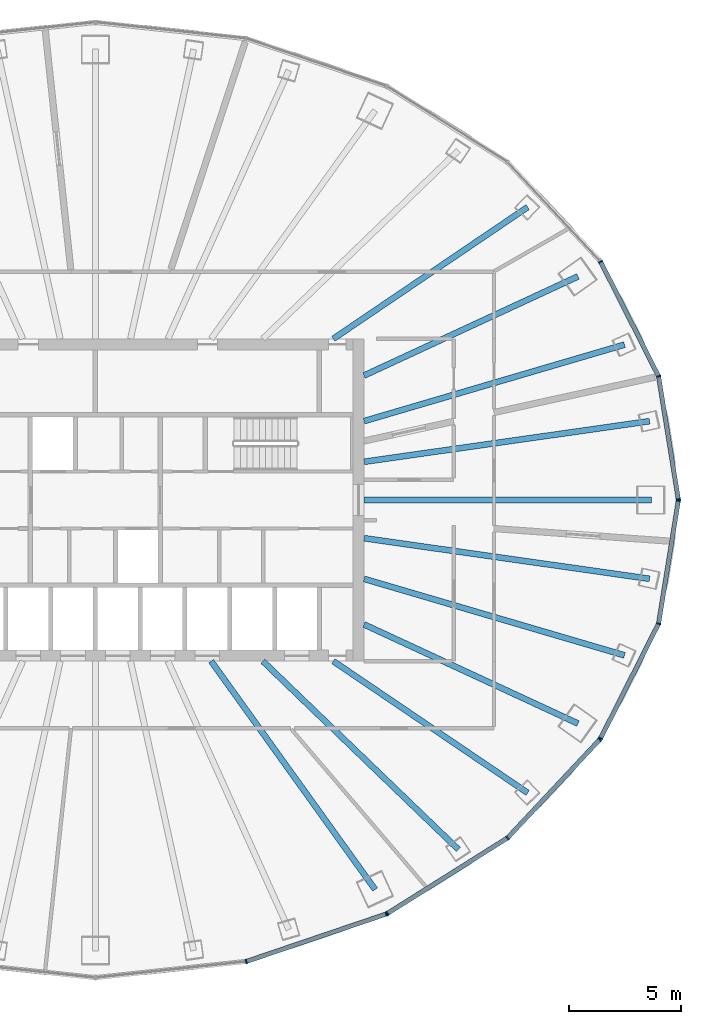
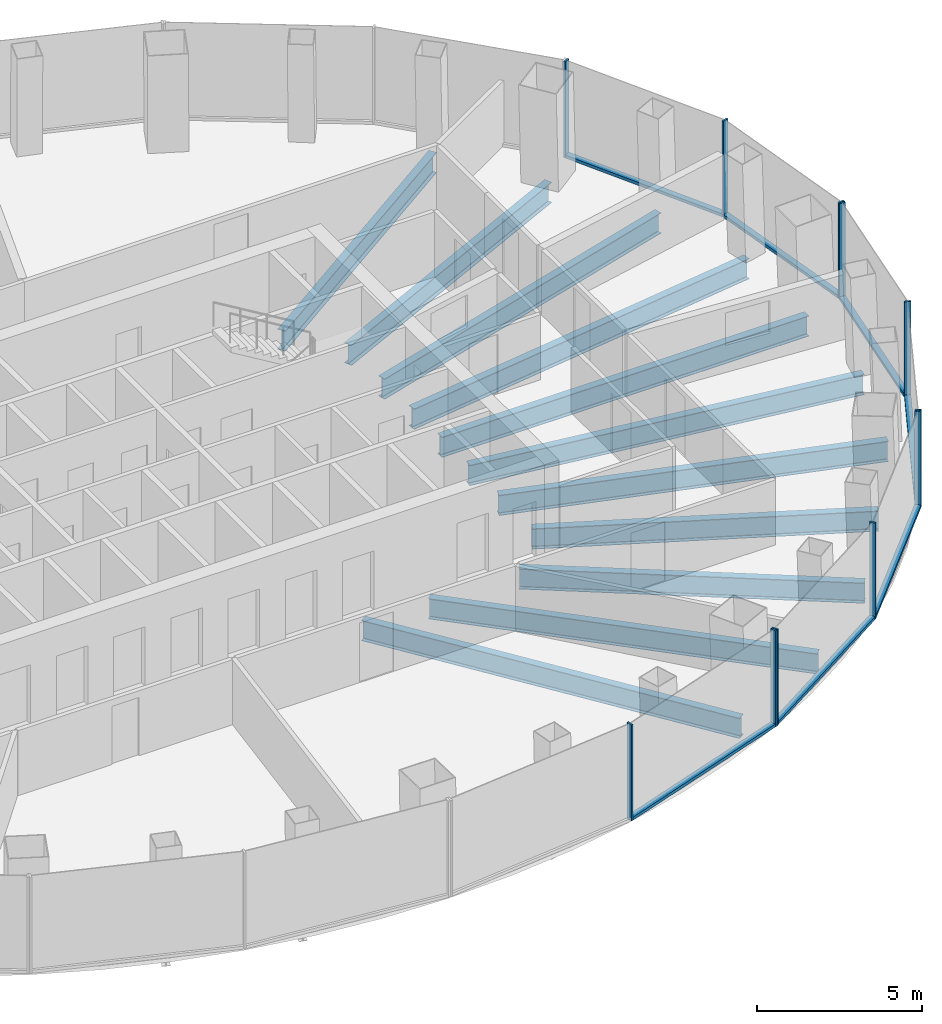
# One storey, part 4 of 12: 18 members, 11 beams, 4 elements without a shape of their own.
"""IFC4 building model written with IfcOpenShell, lengths in metres."""

from ifc_helpers import new_model, si_unit, direction, frame, origin, origin_2d, place, context, subcontext, project, spatial, rectangle, i_section, extrude, material, layer, layer_set, material_profile, profile_set, type_object, element, aggregate, save


model = new_model("IFC4")

# Units and contexts
model_context = context("Model", 3, precision=1e-05, world=origin(), true_north=direction((0.0, 1.0)))
body_context = subcontext(model_context, "Body", "Model", "MODEL_VIEW")
ifc_project = project(units=[si_unit("LENGTHUNIT", "METRE"), si_unit("AREAUNIT", "SQUARE_METRE"), si_unit("VOLUMEUNIT", "CUBIC_METRE"), si_unit("PLANEANGLEUNIT", "RADIAN"), si_unit("MASSUNIT", "GRAM", prefix="KILO")], contexts=[model_context])

# Site, building, storey
site_placement = place(None, origin())
site = spatial("IfcSite", under=ifc_project, at=site_placement, CompositionType="ELEMENT")
building_placement = place(site_placement, origin())
building = spatial("IfcBuilding", under=site, at=building_placement, Name="Siaravel Broadcast Tower", CompositionType="ELEMENT")
storey_placement = place(building_placement, frame((0.0, 0.0, 104.5)))
storey = spatial("IfcBuildingStorey", under=building, at=storey_placement, Name="L24", CompositionType="ELEMENT", Elevation=104.5)

# Beams
ifc_material_1 = material(Name="Steel S355", Category="steel")
ifc_material_profile_1 = material_profile(ifc_material_1, i_section(OverallWidth=0.26513671875, OverallDepth=0.75390625, WebThickness=0.0126953125, FlangeThickness=0.017578125, FilletRadius=0.0166015625, at=origin_2d()))
ifc_profile_set_1 = profile_set([ifc_material_profile_1], Name="Steel S355")
beam_type = type_object("IfcBeamType", Name="BM-UB 762x267x147", PredefinedType="BEAM", material=ifc_profile_set_1)
beam_1_placement = place(storey_placement, frame((24.825439453125, 0.0, -0.52685546875), z_axis=(-1.0, 0.0, 0.0), x_axis=(0.0, -1.0, 0.0)))
element("IfcBeam", 1, at=beam_1_placement, inside=storey, type_object=beam_type, Name="Radial beam RB01", PredefinedType="BEAM", context=body_context, shape_type="SweptSolid", body=[
    extrude(i_section(OverallWidth=0.26513671875, OverallDepth=0.75390625, WebThickness=0.0126953125, FlangeThickness=0.017578125, FilletRadius=0.0166015625, at=origin_2d()), origin(), (0.0, 0.0, 1.0), 12.825439453125),
])
beam_2_placement = place(storey_placement, frame((24.74951171875, 3.519287109375, -0.52685546875), z_axis=(-0.990040289, -0.140784328, 0.0), x_axis=(0.140784328, -0.990040289, 0.0)))
element("IfcBeam", 2, at=beam_2_placement, inside=storey, type_object=beam_type, Name="Radial beam RB02", PredefinedType="BEAM", context=body_context, shape_type="SweptSolid", body=[
    extrude(i_section(OverallWidth=0.26513671875, OverallDepth=0.75390625, WebThickness=0.0126953125, FlangeThickness=0.017578125, FilletRadius=0.0166015625, at=origin_2d()), origin(), (0.0, 0.0, 1.0), 12.877685546875),
])
beam_3_placement = place(storey_placement, frame((23.630859375, 6.938232421875, -0.52685546875), z_axis=(-0.959494967, -0.281725768, 0.0), x_axis=(0.281725768, -0.959494967, 0.0)))
element("IfcBeam", 3, at=beam_3_placement, inside=storey, type_object=beam_type, Name="Radial beam RB03", PredefinedType="BEAM", context=body_context, shape_type="SweptSolid", body=[
    extrude(i_section(OverallWidth=0.26513671875, OverallDepth=0.75390625, WebThickness=0.0126953125, FlangeThickness=0.017578125, FilletRadius=0.0166015625, at=origin_2d()), origin(), (0.0, 0.0, 1.0), 12.121826171875),
])
beam_4_placement = place(storey_placement, frame((21.552978515625, 9.984130859375, -0.52685546875), z_axis=(-0.90737209, -0.420328312, 0.0), x_axis=(0.420328312, -0.90737209, 0.0)))
element("IfcBeam", 4, at=beam_4_placement, inside=storey, type_object=beam_type, Name="Radial beam RB04", PredefinedType="BEAM", context=body_context, shape_type="SweptSolid", body=[
    extrude(i_section(OverallWidth=0.26513671875, OverallDepth=0.75390625, WebThickness=0.0126953125, FlangeThickness=0.017578125, FilletRadius=0.0166015625, at=origin_2d()), origin(), (0.0, 0.0, 1.0), 10.528076171875),
])
beam_5_placement = place(storey_placement, frame((19.30126953125, 13.07763671875, -0.52685546875), z_axis=(-0.827865291, -0.560926964, 0.0), x_axis=(0.560926964, -0.827865291, 0.0)))
element("IfcBeam", 5, at=beam_5_placement, inside=storey, type_object=beam_type, Name="Radial beam RB05", PredefinedType="BEAM", context=body_context, shape_type="SweptSolid", body=[
    extrude(i_section(OverallWidth=0.26513671875, OverallDepth=0.75390625, WebThickness=0.0126953125, FlangeThickness=0.017578125, FilletRadius=0.0166015625, at=origin_2d()), origin(), (0.0, 0.0, 1.0), 10.478515625),
])
beam_6_placement = place(storey_placement, frame((12.492431640625, -17.396484375, -0.52685546875), z_axis=(-0.583282136, 0.812269628, 0.0), x_axis=(-0.812269628, -0.583282136, 0.0)))
element("IfcBeam", 6, at=beam_6_placement, inside=storey, type_object=beam_type, Name="Radial beam RB31", PredefinedType="BEAM", context=body_context, shape_type="SweptSolid", body=[
    extrude(i_section(OverallWidth=0.26513671875, OverallDepth=0.75390625, WebThickness=0.0126953125, FlangeThickness=0.017578125, FilletRadius=0.0166015625, at=origin_2d()), origin(), (0.0, 0.0, 1.0), 12.55322265625),
])
beam_7_placement = place(storey_placement, frame((16.21142578125, -15.6083984375, -0.52685546875), z_axis=(-0.720372012, 0.693587892, 0.0), x_axis=(-0.693587892, -0.720372012, 0.0)))
element("IfcBeam", 7, at=beam_7_placement, inside=storey, type_object=beam_type, Name="Radial beam RB32", PredefinedType="BEAM", context=body_context, shape_type="SweptSolid", body=[
    extrude(i_section(OverallWidth=0.26513671875, OverallDepth=0.75390625, WebThickness=0.0126953125, FlangeThickness=0.017578125, FilletRadius=0.0166015625, at=origin_2d()), origin(), (0.0, 0.0, 1.0), 12.123046875),
])
beam_8_placement = place(storey_placement, frame((19.30126953125, -13.07763671875, -0.52685546875), z_axis=(-0.827865291, 0.560926964, 0.0), x_axis=(-0.560926964, -0.827865291, 0.0)))
element("IfcBeam", 8, at=beam_8_placement, inside=storey, type_object=beam_type, Name="Radial beam RB33", PredefinedType="BEAM", context=body_context, shape_type="SweptSolid", body=[
    extrude(i_section(OverallWidth=0.26513671875, OverallDepth=0.75390625, WebThickness=0.0126953125, FlangeThickness=0.017578125, FilletRadius=0.0166015625, at=origin_2d()), origin(), (0.0, 0.0, 1.0), 10.478515625),
])
beam_9_placement = place(storey_placement, frame((21.552978515625, -9.984130859375, -0.52685546875), z_axis=(-0.90737209, 0.420328312, 0.0), x_axis=(-0.420328312, -0.90737209, 0.0)))
element("IfcBeam", 9, at=beam_9_placement, inside=storey, type_object=beam_type, Name="Radial beam RB34", PredefinedType="BEAM", context=body_context, shape_type="SweptSolid", body=[
    extrude(i_section(OverallWidth=0.26513671875, OverallDepth=0.75390625, WebThickness=0.0126953125, FlangeThickness=0.017578125, FilletRadius=0.0166015625, at=origin_2d()), origin(), (0.0, 0.0, 1.0), 10.528076171875),
])
beam_10_placement = place(storey_placement, frame((23.630859375, -6.938232421875, -0.52685546875), z_axis=(-0.959494967, 0.281725768, 0.0), x_axis=(-0.281725768, -0.959494967, 0.0)))
element("IfcBeam", 10, at=beam_10_placement, inside=storey, type_object=beam_type, Name="Radial beam RB35", PredefinedType="BEAM", context=body_context, shape_type="SweptSolid", body=[
    extrude(i_section(OverallWidth=0.26513671875, OverallDepth=0.75390625, WebThickness=0.0126953125, FlangeThickness=0.017578125, FilletRadius=0.0166015625, at=origin_2d()), origin(), (0.0, 0.0, 1.0), 12.121826171875),
])
beam_11_placement = place(storey_placement, frame((24.74951171875, -3.519287109375, -0.52685546875), z_axis=(-0.990040289, 0.140784328, 0.0), x_axis=(-0.140784328, -0.990040289, 0.0)))
element("IfcBeam", 11, at=beam_11_placement, inside=storey, type_object=beam_type, Name="Radial beam RB36", PredefinedType="BEAM", context=body_context, shape_type="SweptSolid", body=[
    extrude(i_section(OverallWidth=0.26513671875, OverallDepth=0.75390625, WebThickness=0.0126953125, FlangeThickness=0.017578125, FilletRadius=0.0166015625, at=origin_2d()), origin(), (0.0, 0.0, 1.0), 12.877685546875),
])

# Curtain wall, members
ifc_material_2 = material(Name="Aluminium 6063-T6", Category="aluminium")
ifc_layer = layer(ifc_material_2, 0.199951171875)
ifc_layer_set = layer_set([ifc_layer], Name="Aluminium 6063-T6")
curtain_wall_type = type_object("IfcCurtainWallType", Name="Unitised curtain wall, zone 2", PredefinedType="NOTDEFINED", material=ifc_layer_set)
curtain_wall_1_placement = place(storey_placement, origin())
curtain_wall_1 = element("IfcCurtainWall", 12, at=curtain_wall_1_placement, inside=storey, type_object=curtain_wall_type, Name="L24 Unitised curtain wall, zone 2 01", PredefinedType="NOTDEFINED")
ifc_material_profile_2 = material_profile(ifc_material_2, rectangle(XDim=0.199951171875, YDim=0.06494140625, at=origin_2d()))
ifc_profile_set_2 = profile_set([ifc_material_profile_2], Name="Aluminium 6063-T6")
member_type_1 = type_object("IfcMemberType", Name="CW-Z2 mullion", PredefinedType="MULLION", material=ifc_profile_set_2)
member_1_placement = place(storey_placement, frame((26.0341796875, 0.031982421875, 0.0), z_axis=(0.0, 0.0, 1.0), x_axis=(-0.987329139, -0.15868576, 0.0)))
member_1 = element("IfcMember", 13, at=member_1_placement, type_object=member_type_1, Name="CW-Z2 mullion 1", PredefinedType="MULLION", context=body_context, shape_type="SweptSolid", body=[
    extrude(rectangle(XDim=0.199951171875, YDim=0.06494140625, at=origin_2d()), origin(), (0.0, 0.0, 1.0), 3.550048828125),
])
member_2_placement = place(storey_placement, frame((25.151611328125, 5.525390625, 0.0), z_axis=(0.0, 0.0, 1.0), x_axis=(-0.951177085, -0.308645676, 0.0)))
member_2 = element("IfcMember", 14, at=member_2_placement, type_object=member_type_1, Name="CW-Z2 mullion 2", PredefinedType="MULLION", context=body_context, shape_type="SweptSolid", body=[
    extrude(rectangle(XDim=0.199951171875, YDim=0.06494140625, at=origin_2d()), origin(), (0.0, 0.0, 1.0), 3.550048828125),
])
member_3_placement = place(storey_placement, frame((22.56298828125, 10.64404296875, 0.0), z_axis=(0.0, 0.0, 1.0), x_axis=(-0.892391822, -0.451261384, 0.0)))
member_3 = element("IfcMember", 15, at=member_3_placement, type_object=member_type_1, Name="CW-Z2 mullion 3", PredefinedType="MULLION", context=body_context, shape_type="SweptSolid", body=[
    extrude(rectangle(XDim=0.199951171875, YDim=0.06494140625, at=origin_2d()), origin(), (0.0, 0.0, 1.0), 3.550048828125),
])

curtain_wall_2_placement = place(storey_placement, origin())
curtain_wall_2 = element("IfcCurtainWall", 16, at=curtain_wall_2_placement, inside=storey, type_object=curtain_wall_type, Name="L24 Unitised curtain wall, zone 2 10", PredefinedType="NOTDEFINED")
member_4_placement = place(storey_placement, frame((6.7373046875, -20.61181640625, 0.0), z_axis=(0.0, 0.0, 1.0), x_axis=(-0.215557941, 0.976491052, 0.0)))
member_4 = element("IfcMember", 17, at=member_4_placement, type_object=member_type_1, Name="CW-Z2 mullion 2", PredefinedType="MULLION", context=body_context, shape_type="SweptSolid", body=[
    extrude(rectangle(XDim=0.199951171875, YDim=0.06494140625, at=origin_2d()), origin(), (0.0, 0.0, 1.0), 3.550048828125),
])
member_5_placement = place(storey_placement, frame((12.9853515625, -18.491943359375, 0.0), z_axis=(0.0, 0.0, 1.0), x_axis=(-0.321300433, 0.946977313, 0.0)))
member_5 = element("IfcMember", 18, at=member_5_placement, type_object=member_type_1, Name="CW-Z2 mullion 3", PredefinedType="MULLION", context=body_context, shape_type="SweptSolid", body=[
    extrude(rectangle(XDim=0.199951171875, YDim=0.06494140625, at=origin_2d()), origin(), (0.0, 0.0, 1.0), 3.550048828125),
])

curtain_wall_3_placement = place(storey_placement, origin())
curtain_wall_3 = element("IfcCurtainWall", 19, at=curtain_wall_3_placement, inside=storey, type_object=curtain_wall_type, Name="L24 Unitised curtain wall, zone 2 11", PredefinedType="NOTDEFINED")
member_6_placement = place(storey_placement, frame((13.043701171875, -18.464111328125, 0.0), z_axis=(0.0, 0.0, 1.0), x_axis=(-0.5321489, 0.846650783, 0.0)))
member_6 = element("IfcMember", 20, at=member_6_placement, type_object=member_type_1, Name="CW-Z2 mullion 1", PredefinedType="MULLION", context=body_context, shape_type="SweptSolid", body=[
    extrude(rectangle(XDim=0.199951171875, YDim=0.06494140625, at=origin_2d()), origin(), (0.0, 0.0, 1.0), 3.550048828125),
])
member_7_placement = place(storey_placement, frame((18.408935546875, -15.091796875, 0.0), z_axis=(0.0, 0.0, 1.0), x_axis=(-0.636218267, 0.771509117, 0.0)))
member_7 = element("IfcMember", 21, at=member_7_placement, type_object=member_type_1, Name="CW-Z2 mullion 2", PredefinedType="MULLION", context=body_context, shape_type="SweptSolid", body=[
    extrude(rectangle(XDim=0.199951171875, YDim=0.06494140625, at=origin_2d()), origin(), (0.0, 0.0, 1.0), 3.550048828125),
])
member_8_placement = place(storey_placement, frame((22.526123046875, -10.69677734375, 0.0), z_axis=(0.0, 0.0, 1.0), x_axis=(-0.729804854, 0.683655524, 0.0)))
member_8 = element("IfcMember", 22, at=member_8_placement, type_object=member_type_1, Name="CW-Z2 mullion 3", PredefinedType="MULLION", context=body_context, shape_type="SweptSolid", body=[
    extrude(rectangle(XDim=0.199951171875, YDim=0.06494140625, at=origin_2d()), origin(), (0.0, 0.0, 1.0), 3.550048828125),
])

curtain_wall_4_placement = place(storey_placement, origin())
curtain_wall_4 = element("IfcCurtainWall", 23, at=curtain_wall_4_placement, inside=storey, type_object=curtain_wall_type, Name="L24 Unitised curtain wall, zone 2 12", PredefinedType="NOTDEFINED")
member_9_placement = place(storey_placement, frame((22.56298828125, -10.64404296875, 0.0), z_axis=(0.0, 0.0, 1.0), x_axis=(-0.892391822, 0.451261384, 0.0)))
member_9 = element("IfcMember", 24, at=member_9_placement, type_object=member_type_1, Name="CW-Z2 mullion 1", PredefinedType="MULLION", context=body_context, shape_type="SweptSolid", body=[
    extrude(rectangle(XDim=0.199951171875, YDim=0.06494140625, at=origin_2d()), origin(), (0.0, 0.0, 1.0), 3.550048828125),
])
member_10_placement = place(storey_placement, frame((25.151611328125, -5.525390625, 0.0), z_axis=(0.0, 0.0, 1.0), x_axis=(-0.951177085, 0.308645676, 0.0)))
member_10 = element("IfcMember", 25, at=member_10_placement, type_object=member_type_1, Name="CW-Z2 mullion 2", PredefinedType="MULLION", context=body_context, shape_type="SweptSolid", body=[
    extrude(rectangle(XDim=0.199951171875, YDim=0.06494140625, at=origin_2d()), origin(), (0.0, 0.0, 1.0), 3.550048828125),
])
member_11_placement = place(storey_placement, frame((26.0341796875, -0.031982421875, 0.0), z_axis=(0.0, 0.0, 1.0), x_axis=(-0.987329139, 0.15868576, 0.0)))
member_11 = element("IfcMember", 26, at=member_11_placement, type_object=member_type_1, Name="CW-Z2 mullion 3", PredefinedType="MULLION", context=body_context, shape_type="SweptSolid", body=[
    extrude(rectangle(XDim=0.199951171875, YDim=0.06494140625, at=origin_2d()), origin(), (0.0, 0.0, 1.0), 3.550048828125),
])

# Member
ifc_material_profile_3 = material_profile(ifc_material_2, rectangle(XDim=0.199951171875, YDim=0.110107421875, at=origin_2d()))
ifc_profile_set_3 = profile_set([ifc_material_profile_3], Name="Aluminium 6063-T6")
member_type_2 = type_object("IfcMemberType", Name="CW-Z2 transom", PredefinedType="USERDEFINED", material=ifc_profile_set_3)
member_12_placement = place(storey_placement, frame((26.029296875, 0.064208984375, 0.054931640625), z_axis=(-0.158722921, 0.987323166, 0.0), x_axis=(-0.987323166, -0.158722921, 0.0)))
member_12 = element("IfcMember", 27, at=member_12_placement, type_object=member_type_2, Name="CW-Z2 transom 1", ObjectType="TRANSOM", PredefinedType="USERDEFINED", context=body_context, shape_type="SweptSolid", body=[
    extrude(rectangle(XDim=0.199951171875, YDim=0.110107421875, at=origin_2d()), origin(), (0.0, 0.0, 1.0), 5.4990234375),
])

member_13_placement = place(storey_placement, frame((25.13671875, 5.554443359375, 0.054931640625), z_axis=(-0.45123882, 0.892403231, 0.0), x_axis=(-0.892403231, -0.45123882, 0.0)))
member_13 = element("IfcMember", 28, at=member_13_placement, type_object=member_type_2, Name="CW-Z2 transom 2", ObjectType="TRANSOM", PredefinedType="USERDEFINED", context=body_context, shape_type="SweptSolid", body=[
    extrude(rectangle(XDim=0.199951171875, YDim=0.110107421875, at=origin_2d()), origin(), (0.0, 0.0, 1.0), 5.670654296875),
])

aggregate(curtain_wall_1, [member_1, member_2, member_3, member_12, member_13])

member_14_placement = place(storey_placement, frame((6.76806640625, -20.601318359375, 0.054931640625), z_axis=(0.946973015, 0.321313101, 0.0), x_axis=(-0.321313101, 0.946973015, 0.0)))
member_14 = element("IfcMember", 29, at=member_14_placement, type_object=member_type_2, Name="CW-Z2 transom 2", ObjectType="TRANSOM", PredefinedType="USERDEFINED", context=body_context, shape_type="SweptSolid", body=[
    extrude(rectangle(XDim=0.199951171875, YDim=0.110107421875, at=origin_2d()), origin(), (0.0, 0.0, 1.0), 6.532958984375),
])

aggregate(curtain_wall_2, [member_4, member_5, member_14])

member_15_placement = place(storey_placement, frame((13.0712890625, -18.44677734375, 0.054931640625), z_axis=(0.846655089, 0.532142049, 0.0), x_axis=(-0.532142049, 0.846655089, 0.0)))
member_15 = element("IfcMember", 30, at=member_15_placement, type_object=member_type_2, Name="CW-Z2 transom 1", ObjectType="TRANSOM", PredefinedType="USERDEFINED", context=body_context, shape_type="SweptSolid", body=[
    extrude(rectangle(XDim=0.199951171875, YDim=0.110107421875, at=origin_2d()), origin(), (0.0, 0.0, 1.0), 6.272216796875),
])

member_16_placement = place(storey_placement, frame((18.431396484375, -15.068115234375, 0.054931640625), z_axis=(0.6836357, 0.729823424, 0.0), x_axis=(-0.729823424, 0.6836357, 0.0)))
member_16 = element("IfcMember", 31, at=member_16_placement, type_object=member_type_2, Name="CW-Z2 transom 2", ObjectType="TRANSOM", PredefinedType="USERDEFINED", context=body_context, shape_type="SweptSolid", body=[
    extrude(rectangle(XDim=0.199951171875, YDim=0.110107421875, at=origin_2d()), origin(), (0.0, 0.0, 1.0), 5.95703125),
])

aggregate(curtain_wall_3, [member_6, member_7, member_8, member_15, member_16])

member_17_placement = place(storey_placement, frame((22.577880859375, -10.614990234375, 0.054931640625), z_axis=(0.45123882, 0.892403231, 0.0), x_axis=(-0.892403231, 0.45123882, 0.0)))
member_17 = element("IfcMember", 32, at=member_17_placement, type_object=member_type_2, Name="CW-Z2 transom 1", ObjectType="TRANSOM", PredefinedType="USERDEFINED", context=body_context, shape_type="SweptSolid", body=[
    extrude(rectangle(XDim=0.199951171875, YDim=0.110107421875, at=origin_2d()), origin(), (0.0, 0.0, 1.0), 5.670654296875),
])

member_18_placement = place(storey_placement, frame((25.156494140625, -5.493408203125, 0.054931640625), z_axis=(0.158722921, 0.987323166, 0.0), x_axis=(-0.987323166, 0.158722921, 0.0)))
member_18 = element("IfcMember", 33, at=member_18_placement, type_object=member_type_2, Name="CW-Z2 transom 2", ObjectType="TRANSOM", PredefinedType="USERDEFINED", context=body_context, shape_type="SweptSolid", body=[
    extrude(rectangle(XDim=0.199951171875, YDim=0.110107421875, at=origin_2d()), origin(), (0.0, 0.0, 1.0), 5.4990234375),
])

aggregate(curtain_wall_4, [member_9, member_10, member_11, member_17, member_18])

save(model, "model.ifc")
